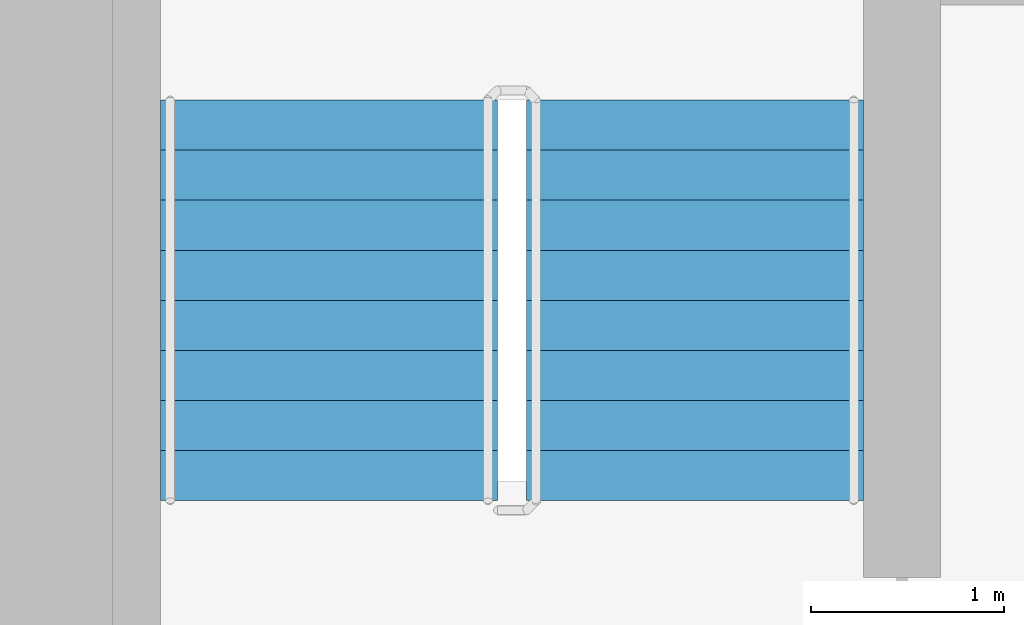
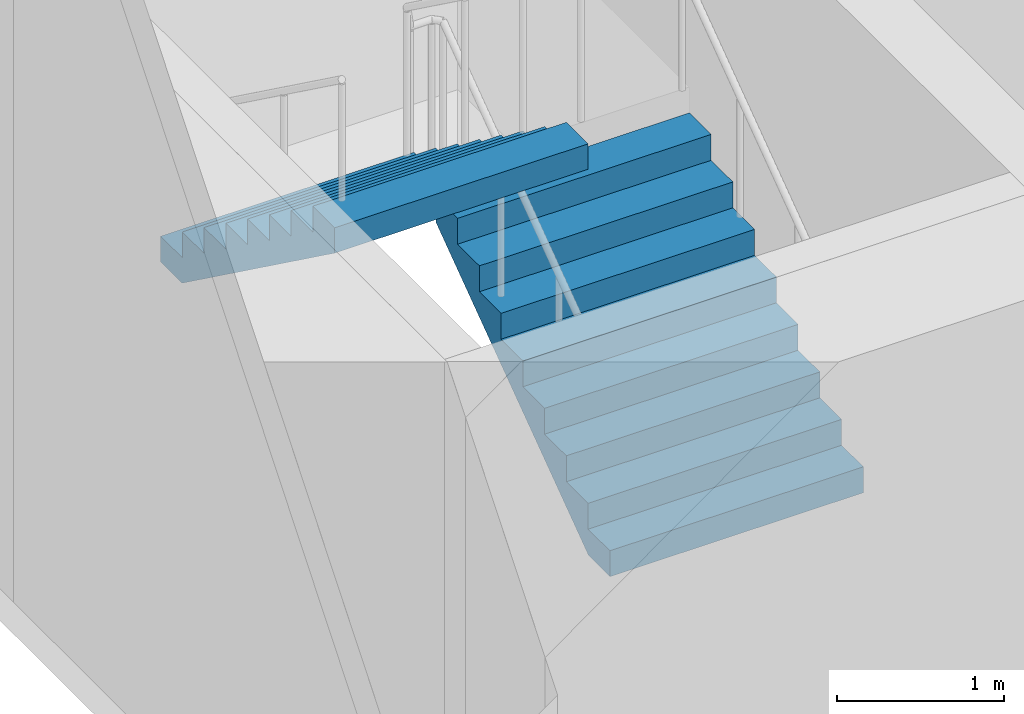
# One storey, part 18 of 21: 2 stair flights, 1 element without a shape of its own.
"""IFC4 building model written with IfcOpenShell, lengths in metres."""

import ifcopenshell
import ifcopenshell.guid

model = None  # the IFC model being written
_history = None  # IfcOwnerHistory: only IFC2X3 demands one
_inside = {}  # id of a spatial element -> (the spatial element, [elements in it])
_under = {}  # id of a project, library or spatial element -> (it, [spatial elements below it])
_declared = {}  # id of a project -> (the project, [libraries it declares])
_typed = {}  # id of a type object -> (the type object, [elements of that type])
_made_of = {}  # id of a material, layer set ... -> (it, [elements and type objects made of it])


def new_model(schema):
    """Start an empty IFC model of exactly this schema.

    Asked for "IFC4X3", IfcOpenShell would pick the latest addendum, in which some entities
    have other attributes; the version numbers below select the first issue.
    IFC2X3 requires an IfcOwnerHistory on every rooted entity: one is made here for all.
    """
    global model, _history
    if schema == "IFC4X3":
        model = ifcopenshell.file(schema_version=(4, 3, 0, 0))
    else:
        model = ifcopenshell.file(schema=schema)
    _inside.clear()
    _under.clear()
    _declared.clear()
    _typed.clear()
    _made_of.clear()
    _history = None
    if model.schema == "IFC2X3":
        org = make("IfcOrganization", Name="unknown")
        user = make(
            "IfcPersonAndOrganization",
            ThePerson=make("IfcPerson", FamilyName="unknown"),
            TheOrganization=org,
        )
        app = make(
            "IfcApplication",
            ApplicationDeveloper=org,
            Version="unknown",
            ApplicationFullName="unknown",
            ApplicationIdentifier="unknown",
        )
        _history = make(
            "IfcOwnerHistory",
            OwningUser=user,
            OwningApplication=app,
            ChangeAction="ADDED",
            CreationDate=0,
        )
    return model


def make(cls, **values):
    """One entity of the class cls with the attributes given. An attribute that is None is left unset."""
    return model.create_entity(
        cls, **{name: value for name, value in values.items() if value is not None}
    )


def rooted(cls, **values):
    """An entity with a GlobalId (a new one), such as an element, a storey or a relation."""
    return make(cls, GlobalId=ifcopenshell.guid.new(), OwnerHistory=_history, **values)


def si_unit(unit_type, name, prefix=None):
    """IfcSIUnit, for example si_unit("LENGTHUNIT", "METRE", prefix="MILLI")."""
    return make("IfcSIUnit", UnitType=unit_type, Prefix=prefix, Name=name)


def assignment(units):
    """IfcUnitAssignment: the units of a project."""
    return None if units is None else make("IfcUnitAssignment", Units=units)


def point(xyz):
    """IfcCartesianPoint."""
    return None if xyz is None else make("IfcCartesianPoint", Coordinates=xyz)


def direction(xyz):
    """IfcDirection."""
    return None if xyz is None else make("IfcDirection", DirectionRatios=xyz)


def frame(location, z_axis=None, x_axis=None):
    """IfcAxis2Placement3D, a coordinate frame: its origin and axes. An axis left out is left unset."""
    return make(
        "IfcAxis2Placement3D",
        Location=point(location),
        Axis=direction(z_axis),
        RefDirection=direction(x_axis),
    )


def origin():
    """The frame at (0, 0, 0) with its axes left unset."""
    return frame((0.0, 0.0, 0.0))


def place(relative_to, where):
    """IfcLocalPlacement: puts the frame where relative to a parent placement (None: the world)."""
    return make(
        "IfcLocalPlacement", PlacementRelTo=relative_to, RelativePlacement=where
    )


def context(
    kind, dimensions, precision=None, world=None, true_north=None, identifier=None
):
    """IfcGeometricRepresentationContext, for example the 3D "Model" context."""
    return make(
        "IfcGeometricRepresentationContext",
        ContextIdentifier=identifier,
        ContextType=kind,
        CoordinateSpaceDimension=dimensions,
        Precision=precision,
        WorldCoordinateSystem=world,
        TrueNorth=true_north,
    )


def subcontext(parent, identifier, kind, view, scale=None):
    """IfcGeometricRepresentationSubContext, for example "Body" below "Model"."""
    return make(
        "IfcGeometricRepresentationSubContext",
        ContextIdentifier=identifier,
        ContextType=kind,
        ParentContext=parent,
        TargetScale=scale,
        TargetView=view,
    )


def project(units=None, contexts=None):
    """IfcProject with its units and contexts."""
    return rooted(
        "IfcProject",
        Name="project",
        RepresentationContexts=contexts,
        UnitsInContext=assignment(units),
    )


def spatial(cls, under=None, at=None, **own):
    """A site, building, storey or space (cls), placed at a placement, below another one or the project."""
    s = rooted(cls, ObjectPlacement=at, **own)
    if under is not None:
        _under.setdefault(under.id(), (under, []))[1].append(s)
    return s


def faces_of(points, faces, orient=None, outer=None):
    """IfcFace entities. A face is a list of loops; a loop is a list of indices into points, from 0.

    orient and outer hold one flag for each loop. By default every Orientation is true, the
    first loop of a face is its IfcFaceOuterBound and the others are IfcFaceBound.
    """
    made = []
    for i, loops in enumerate(faces):
        bounds = []
        for j, loop in enumerate(loops):
            is_outer = j == 0 if outer is None else outer[i][j]
            bounds.append(
                make(
                    "IfcFaceOuterBound" if is_outer else "IfcFaceBound",
                    Bound=make("IfcPolyLoop", Polygon=[points[k] for k in loop]),
                    Orientation=True if orient is None else orient[i][j],
                )
            )
        made.append(make("IfcFace", Bounds=bounds))
    return made


def faceted_brep(points, faces, orient=None, outer=None, voids=None):
    """IfcFacetedBrep: a solid bounded by flat faces; with voids (closed shells), ...WithVoids."""
    shared = [point(p) for p in points]
    hull = make("IfcClosedShell", CfsFaces=faces_of(shared, faces, orient, outer))
    if voids is None:
        return make("IfcFacetedBrep", Outer=hull)
    return make(
        "IfcFacetedBrepWithVoids",
        Outer=hull,
        Voids=[
            make(cls, CfsFaces=faces_of(shared, fs, o, b)) for cls, fs, o, b in voids
        ],
    )


def shape(context_of_items, identifier, shape_type, items):
    """IfcShapeRepresentation: the items that make up one representation, for example the "Body"."""
    return make(
        "IfcShapeRepresentation",
        ContextOfItems=context_of_items,
        RepresentationIdentifier=identifier,
        RepresentationType=shape_type,
        Items=items,
    )


def material(Name=None, Category=None):
    """IfcMaterial."""
    return make("IfcMaterial", Name=Name, Category=Category)


def made_of(thing, what):
    """Note that an element or type object is made of a material, layer set ...; save() writes the relation."""
    if what is not None:
        _made_of.setdefault(what.id(), (what, []))[1].append(thing)
    return thing


def type_object(cls, material=None, **own):
    """A type object (cls), such as IfcWallType, which elements share."""
    return made_of(rooted(cls, **own), material)


def element(
    cls,
    number,
    at=None,
    inside=None,
    cuts=None,
    type_object=None,
    material=None,
    context=None,
    identifier="Body",
    shape_type=None,
    held_by="IfcProductDefinitionShape",
    body=None,
    shapes=None,
    **own,
):
    """One element of the class cls, such as IfcWall. Its Tag is "e" and its number.

    at: its placement. inside: the storey or other place that contains it. cuts: it is an
    opening in that element (IfcRelVoidsElement). A single representation is given by context,
    identifier, shape_type and body (its items); several are given by shapes. held_by: the class
    of the entity that holds the representations. save() writes the other relations.
    """
    e = rooted(cls, Tag="e%d" % number, ObjectPlacement=at, **own)
    if body is not None:
        shapes = [shape(context, identifier, shape_type, body)]
    if shapes is not None:
        e.Representation = make(held_by, Representations=shapes)
    if inside is not None:
        _inside.setdefault(inside.id(), (inside, []))[1].append(e)
    if cuts is not None:
        rooted(
            "IfcRelVoidsElement", RelatingBuildingElement=cuts, RelatedOpeningElement=e
        )
    if type_object is not None:
        _typed.setdefault(type_object.id(), (type_object, []))[1].append(e)
    return made_of(e, material)


def aggregate(whole, parts):
    """IfcRelAggregates: a whole, such as a stair, and the parts it consists of."""
    return rooted("IfcRelAggregates", RelatingObject=whole, RelatedObjects=parts)


def save(model, path):
    """Write the relations noted so far, then the file.

    IfcRelAggregates (storeys below a building ...), IfcRelContainedInSpatialStructure (elements
    in a storey), IfcRelDefinesByType, IfcRelAssociatesMaterial and IfcRelDeclares: one each for
    every whole, place, type object, material and project.
    """
    for whole, parts in _under.values():
        aggregate(whole, parts)
    for where, things in _inside.values():
        rooted(
            "IfcRelContainedInSpatialStructure",
            RelatedElements=things,
            RelatingStructure=where,
        )
    for kind, things in _typed.values():
        rooted("IfcRelDefinesByType", RelatedObjects=things, RelatingType=kind)
    for what, things in _made_of.values():
        rooted("IfcRelAssociatesMaterial", RelatedObjects=things, RelatingMaterial=what)
    for by, libraries in _declared.values():
        rooted("IfcRelDeclares", RelatingContext=by, RelatedDefinitions=libraries)
    model.write(path)


model = new_model("IFC4")

# Units and contexts
model_context = context("Model", 3, precision=1e-05, world=origin(), true_north=direction((0.0, 1.0)))
body_context = subcontext(model_context, "Body", "Model", "MODEL_VIEW")
ifc_project = project(units=[si_unit("LENGTHUNIT", "METRE"), si_unit("AREAUNIT", "SQUARE_METRE"), si_unit("VOLUMEUNIT", "CUBIC_METRE"), si_unit("PLANEANGLEUNIT", "RADIAN"), si_unit("MASSUNIT", "GRAM", prefix="KILO")], contexts=[model_context])

# Site, building, storey
site_placement = place(None, origin())
site = spatial("IfcSite", under=ifc_project, at=site_placement, CompositionType="ELEMENT")
building_placement = place(site_placement, origin())
building = spatial("IfcBuilding", under=site, at=building_placement, Name="Ipe Terrace Towers", CompositionType="ELEMENT")
storey_placement = place(building_placement, frame((0.0, 0.0, 80.0)))
storey = spatial("IfcBuildingStorey", under=building, at=storey_placement, Name="L21", CompositionType="ELEMENT", Elevation=80.0)

# Stair, stair flights
ifc_material_1 = material(Name="Concrete C30/37", Category="concrete")
stair_type = type_object("IfcStairType", Name="Protected exit stair", PredefinedType="HALF_TURN_STAIR", material=ifc_material_1)
stair_placement = place(storey_placement, origin())
stair = element("IfcStair", 1, at=stair_placement, inside=storey, type_object=stair_type, Name="L21 Exit stair T2-C1", PredefinedType="HALF_TURN_STAIR")
ifc_material_2 = material(Name="Concrete C30/37", Category="concrete")
stair_flight_type = type_object("IfcStairFlightType", Name="Exit stair flight 1750", PredefinedType="STRAIGHT", material=ifc_material_2)
stair_flight_1_placement = place(storey_placement, frame((33.22509765625, 9.699951171875, 0.0), z_axis=(0.0, 0.0, 1.0), x_axis=(0.0, 1.0, 0.0)))
stair_flight_1 = element("IfcStairFlight", 2, at=stair_flight_1_placement, type_object=stair_flight_type, Name="T2-ST1 flight 1", NumberOfRisers=9, NumberOfTreads=8, PredefinedType="STRAIGHT", RiserHeight=0.188888889, TreadLength=0.26, context=body_context, shape_type="Brep", body=[
    faceted_brep([(0.255126953125, -0.875, 0.0), (2.080078125, -0.875, 1.325927734375), (2.080078125, -0.875, 1.51123046875), (1.820068359375, -0.875, 1.51123046875), (1.820068359375, -0.875, 1.322265625), (1.56005859375, -0.875, 1.322265625), (1.56005859375, -0.875, 1.13330078125), (1.300048828125, -0.875, 1.13330078125), (1.300048828125, -0.875, 0.9443359375), (1.0400390625, -0.875, 0.9443359375), (1.0400390625, -0.875, 0.755615234375), (0.780029296875, -0.875, 0.755615234375), (0.780029296875, -0.875, 0.566650390625), (0.52001953125, -0.875, 0.566650390625), (0.52001953125, -0.875, 0.377685546875), (0.260009765625, -0.875, 0.377685546875), (0.260009765625, -0.875, 0.18896484375), (0.0, -0.875, 0.18896484375), (0.0, -0.875, 0.0), (0.0, 0.875, 0.0), (0.0, 0.875, 0.18896484375), (0.260009765625, 0.875, 0.18896484375), (0.260009765625, 0.875, 0.377685546875), (0.52001953125, 0.875, 0.377685546875), (0.52001953125, 0.875, 0.566650390625), (0.780029296875, 0.875, 0.566650390625), (0.780029296875, 0.875, 0.755615234375), (1.0400390625, 0.875, 0.755615234375), (1.0400390625, 0.875, 0.9443359375), (1.300048828125, 0.875, 0.9443359375), (1.300048828125, 0.875, 1.13330078125), (1.56005859375, 0.875, 1.13330078125), (1.56005859375, 0.875, 1.322265625), (1.820068359375, 0.875, 1.322265625), (1.820068359375, 0.875, 1.51123046875), (2.080078125, 0.875, 1.51123046875), (2.080078125, 0.875, 1.325927734375), (0.255126953125, 0.875, 0.0), (0.0, -0.300048828125, 0.18896484375), (0.0, -0.1201171875, 0.18896484375), (0.0, -0.06005859375, 0.18896484375), (0.0, -0.030029296875, 0.18896484375), (0.0, -0.010009765625, 0.18896484375), (0.0, 0.0, 0.18896484375), (0.0, 0.010009765625, 0.18896484375), (0.0, 0.030029296875, 0.18896484375), (0.0, 0.06005859375, 0.18896484375), (0.0, 0.1201171875, 0.18896484375), (0.0, 0.300048828125, 0.18896484375), (0.0, 0.300048828125, 0.0), (0.0, 0.1201171875, 0.0), (0.0, 0.06005859375, 0.0), (0.0, 0.030029296875, 0.0), (0.0, 0.010009765625, 0.0), (0.0, 0.0, 0.0), (0.0, -0.010009765625, 0.0), (0.0, -0.030029296875, 0.0), (0.0, -0.06005859375, 0.0), (0.0, -0.1201171875, 0.0), (0.0, -0.300048828125, 0.0), (0.260009765625, -0.300048828125, 0.18896484375), (0.260009765625, -0.1201171875, 0.18896484375), (0.260009765625, -0.06005859375, 0.18896484375), (0.260009765625, -0.030029296875, 0.18896484375), (0.260009765625, -0.010009765625, 0.18896484375), (0.260009765625, 0.0, 0.18896484375), (0.260009765625, 0.010009765625, 0.18896484375), (0.260009765625, 0.030029296875, 0.18896484375), (0.260009765625, 0.06005859375, 0.18896484375), (0.260009765625, 0.1201171875, 0.18896484375), (0.260009765625, 0.300048828125, 0.18896484375), (0.260009765625, -0.300048828125, 0.377685546875), (0.260009765625, -0.1201171875, 0.377685546875), (0.260009765625, -0.06005859375, 0.377685546875), (0.260009765625, -0.030029296875, 0.377685546875), (0.260009765625, -0.010009765625, 0.377685546875), (0.260009765625, 0.0, 0.377685546875), (0.260009765625, 0.010009765625, 0.377685546875), (0.260009765625, 0.030029296875, 0.377685546875), (0.260009765625, 0.06005859375, 0.377685546875), (0.260009765625, 0.1201171875, 0.377685546875), (0.260009765625, 0.300048828125, 0.377685546875), (0.52001953125, -0.300048828125, 0.377685546875), (0.52001953125, -0.1201171875, 0.377685546875), (0.52001953125, -0.06005859375, 0.377685546875), (0.52001953125, -0.030029296875, 0.377685546875), (0.52001953125, -0.010009765625, 0.377685546875), (0.52001953125, 0.0, 0.377685546875), (0.52001953125, 0.010009765625, 0.377685546875), (0.52001953125, 0.030029296875, 0.377685546875), (0.52001953125, 0.06005859375, 0.377685546875), (0.52001953125, 0.1201171875, 0.377685546875), (0.52001953125, 0.300048828125, 0.377685546875), (0.52001953125, -0.300048828125, 0.566650390625), (0.52001953125, -0.1201171875, 0.566650390625), (0.52001953125, -0.06005859375, 0.566650390625), (0.52001953125, -0.030029296875, 0.566650390625), (0.52001953125, -0.010009765625, 0.566650390625), (0.52001953125, 0.0, 0.566650390625), (0.52001953125, 0.010009765625, 0.566650390625), (0.52001953125, 0.030029296875, 0.566650390625), (0.52001953125, 0.06005859375, 0.566650390625), (0.52001953125, 0.1201171875, 0.566650390625), (0.52001953125, 0.300048828125, 0.566650390625), (0.780029296875, -0.300048828125, 0.566650390625), (0.780029296875, -0.1201171875, 0.566650390625), (0.780029296875, -0.06005859375, 0.566650390625), (0.780029296875, -0.030029296875, 0.566650390625), (0.780029296875, -0.010009765625, 0.566650390625), (0.780029296875, 0.0, 0.566650390625), (0.780029296875, 0.010009765625, 0.566650390625), (0.780029296875, 0.030029296875, 0.566650390625), (0.780029296875, 0.06005859375, 0.566650390625), (0.780029296875, 0.1201171875, 0.566650390625), (0.780029296875, 0.300048828125, 0.566650390625), (0.780029296875, -0.300048828125, 0.755615234375), (0.780029296875, -0.1201171875, 0.755615234375), (0.780029296875, -0.06005859375, 0.755615234375), (0.780029296875, -0.030029296875, 0.755615234375), (0.780029296875, -0.010009765625, 0.755615234375), (0.780029296875, 0.0, 0.755615234375), (0.780029296875, 0.010009765625, 0.755615234375), (0.780029296875, 0.030029296875, 0.755615234375), (0.780029296875, 0.06005859375, 0.755615234375), (0.780029296875, 0.1201171875, 0.755615234375), (0.780029296875, 0.300048828125, 0.755615234375), (1.0400390625, -0.300048828125, 0.755615234375), (1.0400390625, -0.1201171875, 0.755615234375), (1.0400390625, -0.06005859375, 0.755615234375), (1.0400390625, -0.030029296875, 0.755615234375), (1.0400390625, -0.010009765625, 0.755615234375), (1.0400390625, 0.0, 0.755615234375), (1.0400390625, 0.010009765625, 0.755615234375), (1.0400390625, 0.030029296875, 0.755615234375), (1.0400390625, 0.06005859375, 0.755615234375), (1.0400390625, 0.1201171875, 0.755615234375), (1.0400390625, 0.300048828125, 0.755615234375), (1.0400390625, -0.300048828125, 0.9443359375), (1.0400390625, -0.1201171875, 0.9443359375), (1.0400390625, -0.06005859375, 0.9443359375), (1.0400390625, -0.030029296875, 0.9443359375), (1.0400390625, -0.010009765625, 0.9443359375), (1.0400390625, 0.0, 0.9443359375), (1.0400390625, 0.010009765625, 0.9443359375), (1.0400390625, 0.030029296875, 0.9443359375), (1.0400390625, 0.06005859375, 0.9443359375), (1.0400390625, 0.1201171875, 0.9443359375), (1.0400390625, 0.300048828125, 0.9443359375), (1.300048828125, -0.300048828125, 0.9443359375), (1.300048828125, -0.1201171875, 0.9443359375), (1.300048828125, -0.06005859375, 0.9443359375), (1.300048828125, -0.030029296875, 0.9443359375), (1.300048828125, -0.010009765625, 0.9443359375), (1.300048828125, 0.0, 0.9443359375), (1.300048828125, 0.010009765625, 0.9443359375), (1.300048828125, 0.030029296875, 0.9443359375), (1.300048828125, 0.06005859375, 0.9443359375), (1.300048828125, 0.1201171875, 0.9443359375), (1.300048828125, 0.300048828125, 0.9443359375), (1.300048828125, -0.300048828125, 1.13330078125), (1.300048828125, -0.1201171875, 1.13330078125), (1.300048828125, -0.06005859375, 1.13330078125), (1.300048828125, -0.030029296875, 1.13330078125), (1.300048828125, -0.010009765625, 1.13330078125), (1.300048828125, 0.0, 1.13330078125), (1.300048828125, 0.010009765625, 1.13330078125), (1.300048828125, 0.030029296875, 1.13330078125), (1.300048828125, 0.06005859375, 1.13330078125), (1.300048828125, 0.1201171875, 1.13330078125), (1.300048828125, 0.300048828125, 1.13330078125), (1.56005859375, -0.300048828125, 1.13330078125), (1.56005859375, -0.1201171875, 1.13330078125), (1.56005859375, -0.06005859375, 1.13330078125), (1.56005859375, -0.030029296875, 1.13330078125), (1.56005859375, -0.010009765625, 1.13330078125), (1.56005859375, 0.0, 1.13330078125), (1.56005859375, 0.010009765625, 1.13330078125), (1.56005859375, 0.030029296875, 1.13330078125), (1.56005859375, 0.06005859375, 1.13330078125), (1.56005859375, 0.1201171875, 1.13330078125), (1.56005859375, 0.300048828125, 1.13330078125), (1.56005859375, -0.300048828125, 1.322265625), (1.56005859375, -0.1201171875, 1.322265625), (1.56005859375, -0.06005859375, 1.322265625), (1.56005859375, -0.030029296875, 1.322265625), (1.56005859375, -0.010009765625, 1.322265625), (1.56005859375, 0.0, 1.322265625), (1.56005859375, 0.010009765625, 1.322265625), (1.56005859375, 0.030029296875, 1.322265625), (1.56005859375, 0.06005859375, 1.322265625), (1.56005859375, 0.1201171875, 1.322265625), (1.56005859375, 0.300048828125, 1.322265625), (1.820068359375, -0.300048828125, 1.322265625), (1.820068359375, -0.1201171875, 1.322265625), (1.820068359375, -0.06005859375, 1.322265625), (1.820068359375, -0.030029296875, 1.322265625), (1.820068359375, -0.010009765625, 1.322265625), (1.820068359375, 0.0, 1.322265625), (1.820068359375, 0.010009765625, 1.322265625), (1.820068359375, 0.030029296875, 1.322265625), (1.820068359375, 0.06005859375, 1.322265625), (1.820068359375, 0.1201171875, 1.322265625), (1.820068359375, 0.300048828125, 1.322265625), (1.820068359375, -0.300048828125, 1.51123046875), (1.820068359375, -0.1201171875, 1.51123046875), (1.820068359375, -0.06005859375, 1.51123046875), (1.820068359375, -0.030029296875, 1.51123046875), (1.820068359375, -0.010009765625, 1.51123046875), (1.820068359375, 0.0, 1.51123046875), (1.820068359375, 0.010009765625, 1.51123046875), (1.820068359375, 0.030029296875, 1.51123046875), (1.820068359375, 0.06005859375, 1.51123046875), (1.820068359375, 0.1201171875, 1.51123046875), (1.820068359375, 0.300048828125, 1.51123046875), (2.080078125, -0.300048828125, 1.51123046875), (2.080078125, -0.1201171875, 1.51123046875), (2.080078125, -0.06005859375, 1.51123046875), (2.080078125, -0.030029296875, 1.51123046875), (2.080078125, -0.010009765625, 1.51123046875), (2.080078125, 0.0, 1.51123046875), (2.080078125, 0.010009765625, 1.51123046875), (2.080078125, 0.030029296875, 1.51123046875), (2.080078125, 0.06005859375, 1.51123046875), (2.080078125, 0.1201171875, 1.51123046875), (2.080078125, 0.300048828125, 1.51123046875), (2.080078125, -0.300048828125, 1.325927734375), (2.080078125, -0.1201171875, 1.325927734375), (2.080078125, -0.06005859375, 1.325927734375), (2.080078125, -0.030029296875, 1.325927734375), (2.080078125, -0.010009765625, 1.325927734375), (2.080078125, 0.0, 1.325927734375), (2.080078125, 0.010009765625, 1.325927734375), (2.080078125, 0.030029296875, 1.325927734375), (2.080078125, 0.06005859375, 1.325927734375), (2.080078125, 0.1201171875, 1.325927734375), (2.080078125, 0.300048828125, 1.325927734375), (0.255126953125, -0.300048828125, 0.0), (0.255126953125, -0.1201171875, 0.0), (0.255126953125, -0.06005859375, 0.0), (0.255126953125, -0.030029296875, 0.0), (0.255126953125, -0.010009765625, 0.0), (0.255126953125, 0.0, 0.0), (0.255126953125, 0.010009765625, 0.0), (0.255126953125, 0.030029296875, 0.0), (0.255126953125, 0.06005859375, 0.0), (0.255126953125, 0.1201171875, 0.0), (0.255126953125, 0.300048828125, 0.0)], [[[0, 1, 2, 3, 4, 5, 6, 7, 8, 9, 10, 11, 12, 13, 14, 15, 16, 17, 18]], [[19, 20, 21, 22, 23, 24, 25, 26, 27, 28, 29, 30, 31, 32, 33, 34, 35, 36, 37]], [[17, 38, 39, 40, 41, 42, 43, 44, 45, 46, 47, 48, 20, 19, 49, 50, 51, 52, 53, 54, 55, 56, 57, 58, 59, 18]], [[16, 60, 61, 62, 63, 64, 65, 66, 67, 68, 69, 70, 21, 20, 48, 47, 46, 45, 44, 43, 42, 41, 40, 39, 38, 17]], [[15, 71, 72, 73, 74, 75, 76, 77, 78, 79, 80, 81, 22, 21, 70, 69, 68, 67, 66, 65, 64, 63, 62, 61, 60, 16]], [[14, 82, 83, 84, 85, 86, 87, 88, 89, 90, 91, 92, 23, 22, 81, 80, 79, 78, 77, 76, 75, 74, 73, 72, 71, 15]], [[13, 93, 94, 95, 96, 97, 98, 99, 100, 101, 102, 103, 24, 23, 92, 91, 90, 89, 88, 87, 86, 85, 84, 83, 82, 14]], [[12, 104, 105, 106, 107, 108, 109, 110, 111, 112, 113, 114, 25, 24, 103, 102, 101, 100, 99, 98, 97, 96, 95, 94, 93, 13]], [[11, 115, 116, 117, 118, 119, 120, 121, 122, 123, 124, 125, 26, 25, 114, 113, 112, 111, 110, 109, 108, 107, 106, 105, 104, 12]], [[10, 126, 127, 128, 129, 130, 131, 132, 133, 134, 135, 136, 27, 26, 125, 124, 123, 122, 121, 120, 119, 118, 117, 116, 115, 11]], [[9, 137, 138, 139, 140, 141, 142, 143, 144, 145, 146, 147, 28, 27, 136, 135, 134, 133, 132, 131, 130, 129, 128, 127, 126, 10]], [[8, 148, 149, 150, 151, 152, 153, 154, 155, 156, 157, 158, 29, 28, 147, 146, 145, 144, 143, 142, 141, 140, 139, 138, 137, 9]], [[7, 159, 160, 161, 162, 163, 164, 165, 166, 167, 168, 169, 30, 29, 158, 157, 156, 155, 154, 153, 152, 151, 150, 149, 148, 8]], [[6, 170, 171, 172, 173, 174, 175, 176, 177, 178, 179, 180, 31, 30, 169, 168, 167, 166, 165, 164, 163, 162, 161, 160, 159, 7]], [[5, 181, 182, 183, 184, 185, 186, 187, 188, 189, 190, 191, 32, 31, 180, 179, 178, 177, 176, 175, 174, 173, 172, 171, 170, 6]], [[4, 192, 193, 194, 195, 196, 197, 198, 199, 200, 201, 202, 33, 32, 191, 190, 189, 188, 187, 186, 185, 184, 183, 182, 181, 5]], [[3, 203, 204, 205, 206, 207, 208, 209, 210, 211, 212, 213, 34, 33, 202, 201, 200, 199, 198, 197, 196, 195, 194, 193, 192, 4]], [[2, 214, 215, 216, 217, 218, 219, 220, 221, 222, 223, 224, 35, 34, 213, 212, 211, 210, 209, 208, 207, 206, 205, 204, 203, 3]], [[1, 225, 226, 227, 228, 229, 230, 231, 232, 233, 234, 235, 36, 35, 224, 223, 222, 221, 220, 219, 218, 217, 216, 215, 214, 2]], [[0, 236, 237, 238, 239, 240, 241, 242, 243, 244, 245, 246, 37, 36, 235, 234, 233, 232, 231, 230, 229, 228, 227, 226, 225, 1]], [[18, 59, 58, 57, 56, 55, 54, 53, 52, 51, 50, 49, 19, 37, 246, 245, 244, 243, 242, 241, 240, 239, 238, 237, 236, 0]]]),
])
stair_flight_2_placement = place(storey_placement, frame((31.324951171875, 11.780029296875, 1.699951171875), z_axis=(0.0, 0.0, 1.0), x_axis=(0.0, -1.0, 0.0)))
stair_flight_2 = element("IfcStairFlight", 3, at=stair_flight_2_placement, type_object=stair_flight_type, Name="T2-ST1 flight 2", NumberOfRisers=9, NumberOfTreads=8, PredefinedType="STRAIGHT", RiserHeight=0.188888889, TreadLength=0.26, context=body_context, shape_type="Brep", body=[
    faceted_brep([(0.255126953125, -0.875, 0.0), (2.080078125, -0.875, 1.325927734375), (2.080078125, -0.875, 1.51123046875), (1.820068359375, -0.875, 1.51123046875), (1.820068359375, -0.875, 1.322265625), (1.56005859375, -0.875, 1.322265625), (1.56005859375, -0.875, 1.13330078125), (1.300048828125, -0.875, 1.13330078125), (1.300048828125, -0.875, 0.9443359375), (1.0400390625, -0.875, 0.9443359375), (1.0400390625, -0.875, 0.755615234375), (0.780029296875, -0.875, 0.755615234375), (0.780029296875, -0.875, 0.566650390625), (0.52001953125, -0.875, 0.566650390625), (0.52001953125, -0.875, 0.377685546875), (0.260009765625, -0.875, 0.377685546875), (0.260009765625, -0.875, 0.18896484375), (0.0, -0.875, 0.18896484375), (0.0, -0.875, 0.0), (0.0, 0.875, 0.0), (0.0, 0.875, 0.18896484375), (0.260009765625, 0.875, 0.18896484375), (0.260009765625, 0.875, 0.377685546875), (0.52001953125, 0.875, 0.377685546875), (0.52001953125, 0.875, 0.566650390625), (0.780029296875, 0.875, 0.566650390625), (0.780029296875, 0.875, 0.755615234375), (1.0400390625, 0.875, 0.755615234375), (1.0400390625, 0.875, 0.9443359375), (1.300048828125, 0.875, 0.9443359375), (1.300048828125, 0.875, 1.13330078125), (1.56005859375, 0.875, 1.13330078125), (1.56005859375, 0.875, 1.322265625), (1.820068359375, 0.875, 1.322265625), (1.820068359375, 0.875, 1.51123046875), (2.080078125, 0.875, 1.51123046875), (2.080078125, 0.875, 1.325927734375), (0.255126953125, 0.875, 0.0), (0.0, -0.300048828125, 0.18896484375), (0.0, -0.1201171875, 0.18896484375), (0.0, -0.06005859375, 0.18896484375), (0.0, -0.030029296875, 0.18896484375), (0.0, -0.010009765625, 0.18896484375), (0.0, 0.0, 0.18896484375), (0.0, 0.010009765625, 0.18896484375), (0.0, 0.030029296875, 0.18896484375), (0.0, 0.06005859375, 0.18896484375), (0.0, 0.1201171875, 0.18896484375), (0.0, 0.300048828125, 0.18896484375), (0.0, 0.300048828125, 0.0), (0.0, 0.1201171875, 0.0), (0.0, 0.06005859375, 0.0), (0.0, 0.030029296875, 0.0), (0.0, 0.010009765625, 0.0), (0.0, 0.0, 0.0), (0.0, -0.010009765625, 0.0), (0.0, -0.030029296875, 0.0), (0.0, -0.06005859375, 0.0), (0.0, -0.1201171875, 0.0), (0.0, -0.300048828125, 0.0), (0.260009765625, -0.300048828125, 0.18896484375), (0.260009765625, -0.1201171875, 0.18896484375), (0.260009765625, -0.06005859375, 0.18896484375), (0.260009765625, -0.030029296875, 0.18896484375), (0.260009765625, -0.010009765625, 0.18896484375), (0.260009765625, 0.0, 0.18896484375), (0.260009765625, 0.010009765625, 0.18896484375), (0.260009765625, 0.030029296875, 0.18896484375), (0.260009765625, 0.06005859375, 0.18896484375), (0.260009765625, 0.1201171875, 0.18896484375), (0.260009765625, 0.300048828125, 0.18896484375), (0.260009765625, -0.300048828125, 0.377685546875), (0.260009765625, -0.1201171875, 0.377685546875), (0.260009765625, -0.06005859375, 0.377685546875), (0.260009765625, -0.030029296875, 0.377685546875), (0.260009765625, -0.010009765625, 0.377685546875), (0.260009765625, 0.0, 0.377685546875), (0.260009765625, 0.010009765625, 0.377685546875), (0.260009765625, 0.030029296875, 0.377685546875), (0.260009765625, 0.06005859375, 0.377685546875), (0.260009765625, 0.1201171875, 0.377685546875), (0.260009765625, 0.300048828125, 0.377685546875), (0.52001953125, -0.300048828125, 0.377685546875), (0.52001953125, -0.1201171875, 0.377685546875), (0.52001953125, -0.06005859375, 0.377685546875), (0.52001953125, -0.030029296875, 0.377685546875), (0.52001953125, -0.010009765625, 0.377685546875), (0.52001953125, 0.0, 0.377685546875), (0.52001953125, 0.010009765625, 0.377685546875), (0.52001953125, 0.030029296875, 0.377685546875), (0.52001953125, 0.06005859375, 0.377685546875), (0.52001953125, 0.1201171875, 0.377685546875), (0.52001953125, 0.300048828125, 0.377685546875), (0.52001953125, -0.300048828125, 0.566650390625), (0.52001953125, -0.1201171875, 0.566650390625), (0.52001953125, -0.06005859375, 0.566650390625), (0.52001953125, -0.030029296875, 0.566650390625), (0.52001953125, -0.010009765625, 0.566650390625), (0.52001953125, 0.0, 0.566650390625), (0.52001953125, 0.010009765625, 0.566650390625), (0.52001953125, 0.030029296875, 0.566650390625), (0.52001953125, 0.06005859375, 0.566650390625), (0.52001953125, 0.1201171875, 0.566650390625), (0.52001953125, 0.300048828125, 0.566650390625), (0.780029296875, -0.300048828125, 0.566650390625), (0.780029296875, -0.1201171875, 0.566650390625), (0.780029296875, -0.06005859375, 0.566650390625), (0.780029296875, -0.030029296875, 0.566650390625), (0.780029296875, -0.010009765625, 0.566650390625), (0.780029296875, 0.0, 0.566650390625), (0.780029296875, 0.010009765625, 0.566650390625), (0.780029296875, 0.030029296875, 0.566650390625), (0.780029296875, 0.06005859375, 0.566650390625), (0.780029296875, 0.1201171875, 0.566650390625), (0.780029296875, 0.300048828125, 0.566650390625), (0.780029296875, -0.300048828125, 0.755615234375), (0.780029296875, -0.1201171875, 0.755615234375), (0.780029296875, -0.06005859375, 0.755615234375), (0.780029296875, -0.030029296875, 0.755615234375), (0.780029296875, -0.010009765625, 0.755615234375), (0.780029296875, 0.0, 0.755615234375), (0.780029296875, 0.010009765625, 0.755615234375), (0.780029296875, 0.030029296875, 0.755615234375), (0.780029296875, 0.06005859375, 0.755615234375), (0.780029296875, 0.1201171875, 0.755615234375), (0.780029296875, 0.300048828125, 0.755615234375), (1.0400390625, -0.300048828125, 0.755615234375), (1.0400390625, -0.1201171875, 0.755615234375), (1.0400390625, -0.06005859375, 0.755615234375), (1.0400390625, -0.030029296875, 0.755615234375), (1.0400390625, -0.010009765625, 0.755615234375), (1.0400390625, 0.0, 0.755615234375), (1.0400390625, 0.010009765625, 0.755615234375), (1.0400390625, 0.030029296875, 0.755615234375), (1.0400390625, 0.06005859375, 0.755615234375), (1.0400390625, 0.1201171875, 0.755615234375), (1.0400390625, 0.300048828125, 0.755615234375), (1.0400390625, -0.300048828125, 0.9443359375), (1.0400390625, -0.1201171875, 0.9443359375), (1.0400390625, -0.06005859375, 0.9443359375), (1.0400390625, -0.030029296875, 0.9443359375), (1.0400390625, -0.010009765625, 0.9443359375), (1.0400390625, 0.0, 0.9443359375), (1.0400390625, 0.010009765625, 0.9443359375), (1.0400390625, 0.030029296875, 0.9443359375), (1.0400390625, 0.06005859375, 0.9443359375), (1.0400390625, 0.1201171875, 0.9443359375), (1.0400390625, 0.300048828125, 0.9443359375), (1.300048828125, -0.300048828125, 0.9443359375), (1.300048828125, -0.1201171875, 0.9443359375), (1.300048828125, -0.06005859375, 0.9443359375), (1.300048828125, -0.030029296875, 0.9443359375), (1.300048828125, -0.010009765625, 0.9443359375), (1.300048828125, 0.0, 0.9443359375), (1.300048828125, 0.010009765625, 0.9443359375), (1.300048828125, 0.030029296875, 0.9443359375), (1.300048828125, 0.06005859375, 0.9443359375), (1.300048828125, 0.1201171875, 0.9443359375), (1.300048828125, 0.300048828125, 0.9443359375), (1.300048828125, -0.300048828125, 1.13330078125), (1.300048828125, -0.1201171875, 1.13330078125), (1.300048828125, -0.06005859375, 1.13330078125), (1.300048828125, -0.030029296875, 1.13330078125), (1.300048828125, -0.010009765625, 1.13330078125), (1.300048828125, 0.0, 1.13330078125), (1.300048828125, 0.010009765625, 1.13330078125), (1.300048828125, 0.030029296875, 1.13330078125), (1.300048828125, 0.06005859375, 1.13330078125), (1.300048828125, 0.1201171875, 1.13330078125), (1.300048828125, 0.300048828125, 1.13330078125), (1.56005859375, -0.300048828125, 1.13330078125), (1.56005859375, -0.1201171875, 1.13330078125), (1.56005859375, -0.06005859375, 1.13330078125), (1.56005859375, -0.030029296875, 1.13330078125), (1.56005859375, -0.010009765625, 1.13330078125), (1.56005859375, 0.0, 1.13330078125), (1.56005859375, 0.010009765625, 1.13330078125), (1.56005859375, 0.030029296875, 1.13330078125), (1.56005859375, 0.06005859375, 1.13330078125), (1.56005859375, 0.1201171875, 1.13330078125), (1.56005859375, 0.300048828125, 1.13330078125), (1.56005859375, -0.300048828125, 1.322265625), (1.56005859375, -0.1201171875, 1.322265625), (1.56005859375, -0.06005859375, 1.322265625), (1.56005859375, -0.030029296875, 1.322265625), (1.56005859375, -0.010009765625, 1.322265625), (1.56005859375, 0.0, 1.322265625), (1.56005859375, 0.010009765625, 1.322265625), (1.56005859375, 0.030029296875, 1.322265625), (1.56005859375, 0.06005859375, 1.322265625), (1.56005859375, 0.1201171875, 1.322265625), (1.56005859375, 0.300048828125, 1.322265625), (1.820068359375, -0.300048828125, 1.322265625), (1.820068359375, -0.1201171875, 1.322265625), (1.820068359375, -0.06005859375, 1.322265625), (1.820068359375, -0.030029296875, 1.322265625), (1.820068359375, -0.010009765625, 1.322265625), (1.820068359375, 0.0, 1.322265625), (1.820068359375, 0.010009765625, 1.322265625), (1.820068359375, 0.030029296875, 1.322265625), (1.820068359375, 0.06005859375, 1.322265625), (1.820068359375, 0.1201171875, 1.322265625), (1.820068359375, 0.300048828125, 1.322265625), (1.820068359375, -0.300048828125, 1.51123046875), (1.820068359375, -0.1201171875, 1.51123046875), (1.820068359375, -0.06005859375, 1.51123046875), (1.820068359375, -0.030029296875, 1.51123046875), (1.820068359375, -0.010009765625, 1.51123046875), (1.820068359375, 0.0, 1.51123046875), (1.820068359375, 0.010009765625, 1.51123046875), (1.820068359375, 0.030029296875, 1.51123046875), (1.820068359375, 0.06005859375, 1.51123046875), (1.820068359375, 0.1201171875, 1.51123046875), (1.820068359375, 0.300048828125, 1.51123046875), (2.080078125, -0.300048828125, 1.51123046875), (2.080078125, -0.1201171875, 1.51123046875), (2.080078125, -0.06005859375, 1.51123046875), (2.080078125, -0.030029296875, 1.51123046875), (2.080078125, -0.010009765625, 1.51123046875), (2.080078125, 0.0, 1.51123046875), (2.080078125, 0.010009765625, 1.51123046875), (2.080078125, 0.030029296875, 1.51123046875), (2.080078125, 0.06005859375, 1.51123046875), (2.080078125, 0.1201171875, 1.51123046875), (2.080078125, 0.300048828125, 1.51123046875), (2.080078125, -0.300048828125, 1.325927734375), (2.080078125, -0.1201171875, 1.325927734375), (2.080078125, -0.06005859375, 1.325927734375), (2.080078125, -0.030029296875, 1.325927734375), (2.080078125, -0.010009765625, 1.325927734375), (2.080078125, 0.0, 1.325927734375), (2.080078125, 0.010009765625, 1.325927734375), (2.080078125, 0.030029296875, 1.325927734375), (2.080078125, 0.06005859375, 1.325927734375), (2.080078125, 0.1201171875, 1.325927734375), (2.080078125, 0.300048828125, 1.325927734375), (0.255126953125, -0.300048828125, 0.0), (0.255126953125, -0.1201171875, 0.0), (0.255126953125, -0.06005859375, 0.0), (0.255126953125, -0.030029296875, 0.0), (0.255126953125, -0.010009765625, 0.0), (0.255126953125, 0.0, 0.0), (0.255126953125, 0.010009765625, 0.0), (0.255126953125, 0.030029296875, 0.0), (0.255126953125, 0.06005859375, 0.0), (0.255126953125, 0.1201171875, 0.0), (0.255126953125, 0.300048828125, 0.0)], [[[0, 1, 2, 3, 4, 5, 6, 7, 8, 9, 10, 11, 12, 13, 14, 15, 16, 17, 18]], [[19, 20, 21, 22, 23, 24, 25, 26, 27, 28, 29, 30, 31, 32, 33, 34, 35, 36, 37]], [[17, 38, 39, 40, 41, 42, 43, 44, 45, 46, 47, 48, 20, 19, 49, 50, 51, 52, 53, 54, 55, 56, 57, 58, 59, 18]], [[16, 60, 61, 62, 63, 64, 65, 66, 67, 68, 69, 70, 21, 20, 48, 47, 46, 45, 44, 43, 42, 41, 40, 39, 38, 17]], [[15, 71, 72, 73, 74, 75, 76, 77, 78, 79, 80, 81, 22, 21, 70, 69, 68, 67, 66, 65, 64, 63, 62, 61, 60, 16]], [[14, 82, 83, 84, 85, 86, 87, 88, 89, 90, 91, 92, 23, 22, 81, 80, 79, 78, 77, 76, 75, 74, 73, 72, 71, 15]], [[13, 93, 94, 95, 96, 97, 98, 99, 100, 101, 102, 103, 24, 23, 92, 91, 90, 89, 88, 87, 86, 85, 84, 83, 82, 14]], [[12, 104, 105, 106, 107, 108, 109, 110, 111, 112, 113, 114, 25, 24, 103, 102, 101, 100, 99, 98, 97, 96, 95, 94, 93, 13]], [[11, 115, 116, 117, 118, 119, 120, 121, 122, 123, 124, 125, 26, 25, 114, 113, 112, 111, 110, 109, 108, 107, 106, 105, 104, 12]], [[10, 126, 127, 128, 129, 130, 131, 132, 133, 134, 135, 136, 27, 26, 125, 124, 123, 122, 121, 120, 119, 118, 117, 116, 115, 11]], [[9, 137, 138, 139, 140, 141, 142, 143, 144, 145, 146, 147, 28, 27, 136, 135, 134, 133, 132, 131, 130, 129, 128, 127, 126, 10]], [[8, 148, 149, 150, 151, 152, 153, 154, 155, 156, 157, 158, 29, 28, 147, 146, 145, 144, 143, 142, 141, 140, 139, 138, 137, 9]], [[7, 159, 160, 161, 162, 163, 164, 165, 166, 167, 168, 169, 30, 29, 158, 157, 156, 155, 154, 153, 152, 151, 150, 149, 148, 8]], [[6, 170, 171, 172, 173, 174, 175, 176, 177, 178, 179, 180, 31, 30, 169, 168, 167, 166, 165, 164, 163, 162, 161, 160, 159, 7]], [[5, 181, 182, 183, 184, 185, 186, 187, 188, 189, 190, 191, 32, 31, 180, 179, 178, 177, 176, 175, 174, 173, 172, 171, 170, 6]], [[4, 192, 193, 194, 195, 196, 197, 198, 199, 200, 201, 202, 33, 32, 191, 190, 189, 188, 187, 186, 185, 184, 183, 182, 181, 5]], [[3, 203, 204, 205, 206, 207, 208, 209, 210, 211, 212, 213, 34, 33, 202, 201, 200, 199, 198, 197, 196, 195, 194, 193, 192, 4]], [[2, 214, 215, 216, 217, 218, 219, 220, 221, 222, 223, 224, 35, 34, 213, 212, 211, 210, 209, 208, 207, 206, 205, 204, 203, 3]], [[1, 225, 226, 227, 228, 229, 230, 231, 232, 233, 234, 235, 36, 35, 224, 223, 222, 221, 220, 219, 218, 217, 216, 215, 214, 2]], [[0, 236, 237, 238, 239, 240, 241, 242, 243, 244, 245, 246, 37, 36, 235, 234, 233, 232, 231, 230, 229, 228, 227, 226, 225, 1]], [[18, 59, 58, 57, 56, 55, 54, 53, 52, 51, 50, 49, 19, 37, 246, 245, 244, 243, 242, 241, 240, 239, 238, 237, 236, 0]]]),
])
aggregate(stair, [stair_flight_1, stair_flight_2])

save(model, "model.ifc")
